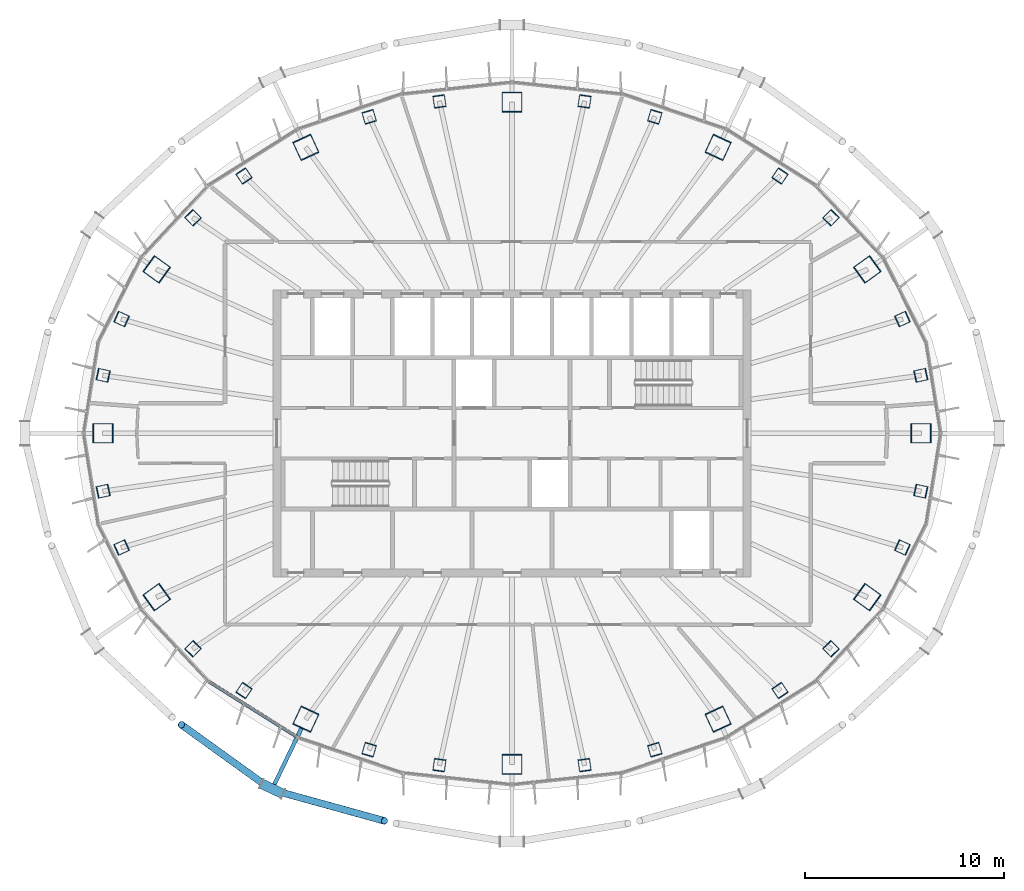
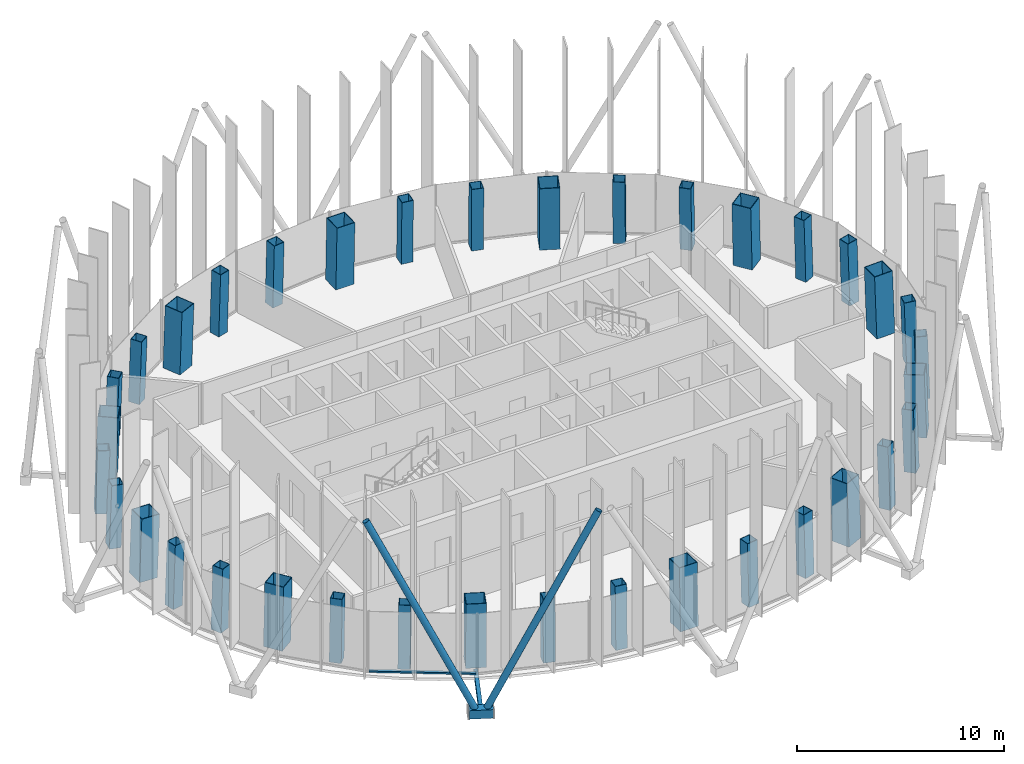
# One storey, part 1 of 20: 36 columns, 5 members, 1 element without a shape of its own.
"""IFC4 building model written with IfcOpenShell, lengths in metres."""

from ifc_helpers import new_model, si_unit, direction, frame, origin, origin_2d, place, context, subcontext, project, spatial, rectangle, hollow_rectangle, hollow_circle, extrude, material, layer, layer_set, material_profile, profile_set, type_object, element, aggregate, save


model = new_model("IFC4")

# Units and contexts
model_context = context("Model", 3, precision=1e-05, world=origin(), true_north=direction((0.0, 1.0)))
body_context = subcontext(model_context, "Body", "Model", "MODEL_VIEW")
ifc_project = project(units=[si_unit("LENGTHUNIT", "METRE"), si_unit("AREAUNIT", "SQUARE_METRE"), si_unit("VOLUMEUNIT", "CUBIC_METRE"), si_unit("PLANEANGLEUNIT", "RADIAN"), si_unit("MASSUNIT", "GRAM", prefix="KILO")], contexts=[model_context])

# Site, building, storey
site_placement = place(None, origin())
site = spatial("IfcSite", under=ifc_project, at=site_placement, CompositionType="ELEMENT")
building_placement = place(site_placement, origin())
building = spatial("IfcBuilding", under=site, at=building_placement, Name="Siaravel Broadcast Tower", CompositionType="ELEMENT")
storey_placement = place(building_placement, frame((0.0, 0.0, 228.199951171875)))
storey = spatial("IfcBuildingStorey", under=building, at=storey_placement, Name="L55", CompositionType="ELEMENT", Elevation=228.199951171875)

# Columns
ifc_material_1 = material(Name="Concrete C70/85", Category="concrete")
ifc_material_profile_1 = material_profile(ifc_material_1, hollow_rectangle(XDim=1.0, YDim=1.0, WallThickness=0.031982421875, at=origin_2d()))
ifc_profile_set_1 = profile_set([ifc_material_profile_1], Name="Concrete C70/85")
column_type_1 = type_object("IfcColumnType", Name="COL-CFT BOX 1000x1000x32", PredefinedType="COLUMN", material=ifc_profile_set_1)
column_1_placement = place(storey_placement, frame((20.544189453125, 0.0, 0.0), z_axis=(-0.034621265, 0.0, 0.999400504), x_axis=(0.0, -1.0, 0.0)))
element("IfcColumn", 1, at=column_1_placement, inside=storey, type_object=column_type_1, Name="Megacolumn MC01", PredefinedType="COLUMN", context=body_context, shape_type="SweptSolid", body=[
    extrude(hollow_rectangle(XDim=1.0, YDim=1.0, WallThickness=0.031982421875, at=origin_2d()), origin(), (0.0, 0.0, 1.0), 3.7021484375),
])
column_2_placement = place(storey_placement, frame((17.84521484375, 8.230712890625, 0.0), z_axis=(-0.029940667, -0.01417895, 0.999451106), x_axis=(0.584283905, -0.811527222, 0.005990534)))
element("IfcColumn", 2, at=column_2_placement, inside=storey, type_object=column_type_1, Name="Megacolumn MC02", PredefinedType="COLUMN", context=body_context, shape_type="SweptSolid", body=[
    extrude(hollow_rectangle(XDim=1.0, YDim=1.0, WallThickness=0.031982421875, at=origin_2d()), origin(), (0.0, 0.0, 1.0), 3.701904296875),
])
column_3_placement = place(storey_placement, frame((10.351806640625, 14.359375, 0.0), z_axis=(-0.017346173, -0.024535271, 0.999548463), x_axis=(0.907862536, -0.419232341, 0.005464429)))
element("IfcColumn", 3, at=column_3_placement, inside=storey, type_object=column_type_1, Name="Megacolumn MC03", PredefinedType="COLUMN", context=body_context, shape_type="SweptSolid", body=[
    extrude(hollow_rectangle(XDim=1.0, YDim=1.0, WallThickness=0.031982421875, at=origin_2d()), origin(), (0.0, 0.0, 1.0), 3.70166015625),
])
column_4_placement = place(storey_placement, frame((0.0, 16.62890625, 0.0), z_axis=(0.0, -0.028296154, 0.999599584), x_axis=(1.0, 0.0, 0.0)))
element("IfcColumn", 4, at=column_4_placement, inside=storey, type_object=column_type_1, Name="Megacolumn MC04", PredefinedType="COLUMN", context=body_context, shape_type="SweptSolid", body=[
    extrude(hollow_rectangle(XDim=1.0, YDim=1.0, WallThickness=0.031982421875, at=origin_2d()), origin(), (0.0, 0.0, 1.0), 3.701416015625),
])
column_5_placement = place(storey_placement, frame((-10.351806640625, 14.359375, 0.0), z_axis=(0.017346173, -0.024535271, 0.999548463), x_axis=(0.907862536, 0.419232341, -0.005464429)))
element("IfcColumn", 5, at=column_5_placement, inside=storey, type_object=column_type_1, Name="Megacolumn MC05", PredefinedType="COLUMN", context=body_context, shape_type="SweptSolid", body=[
    extrude(hollow_rectangle(XDim=1.0, YDim=1.0, WallThickness=0.031982421875, at=origin_2d()), origin(), (0.0, 0.0, 1.0), 3.70166015625),
])
column_6_placement = place(storey_placement, frame((-17.84521484375, 8.230712890625, 0.0), z_axis=(0.029940667, -0.01417895, 0.999451106), x_axis=(0.584283905, 0.811527222, -0.005990534)))
element("IfcColumn", 6, at=column_6_placement, inside=storey, type_object=column_type_1, Name="Megacolumn MC06", PredefinedType="COLUMN", context=body_context, shape_type="SweptSolid", body=[
    extrude(hollow_rectangle(XDim=1.0, YDim=1.0, WallThickness=0.031982421875, at=origin_2d()), origin(), (0.0, 0.0, 1.0), 3.701904296875),
])
column_7_placement = place(storey_placement, frame((-20.544189453125, 0.0, 0.0), z_axis=(0.034621265, 0.0, 0.999400504), x_axis=(0.0, 1.0, 0.0)))
element("IfcColumn", 7, at=column_7_placement, inside=storey, type_object=column_type_1, Name="Megacolumn MC07", PredefinedType="COLUMN", context=body_context, shape_type="SweptSolid", body=[
    extrude(hollow_rectangle(XDim=1.0, YDim=1.0, WallThickness=0.031982421875, at=origin_2d()), origin(), (0.0, 0.0, 1.0), 3.7021484375),
])
column_8_placement = place(storey_placement, frame((-17.84521484375, -8.230712890625, 0.0), z_axis=(0.029940667, 0.01417895, 0.999451106), x_axis=(-0.584283905, 0.811527222, 0.005990534)))
element("IfcColumn", 8, at=column_8_placement, inside=storey, type_object=column_type_1, Name="Megacolumn MC08", PredefinedType="COLUMN", context=body_context, shape_type="SweptSolid", body=[
    extrude(hollow_rectangle(XDim=1.0, YDim=1.0, WallThickness=0.031982421875, at=origin_2d()), origin(), (0.0, 0.0, 1.0), 3.701904296875),
])
column_9_placement = place(storey_placement, frame((-10.351806640625, -14.359375, 0.0), z_axis=(0.017346173, 0.024535271, 0.999548463), x_axis=(-0.907862536, 0.419232341, 0.005464429)))
element("IfcColumn", 9, at=column_9_placement, inside=storey, type_object=column_type_1, Name="Megacolumn MC09", PredefinedType="COLUMN", context=body_context, shape_type="SweptSolid", body=[
    extrude(hollow_rectangle(XDim=1.0, YDim=1.0, WallThickness=0.031982421875, at=origin_2d()), origin(), (0.0, 0.0, 1.0), 3.70166015625),
])
column_10_placement = place(storey_placement, frame((0.0, -16.62890625, 0.0), z_axis=(0.0, 0.028296154, 0.999599584), x_axis=(-1.0, 0.0, 0.0)))
element("IfcColumn", 10, at=column_10_placement, inside=storey, type_object=column_type_1, Name="Megacolumn MC10", PredefinedType="COLUMN", context=body_context, shape_type="SweptSolid", body=[
    extrude(hollow_rectangle(XDim=1.0, YDim=1.0, WallThickness=0.031982421875, at=origin_2d()), origin(), (0.0, 0.0, 1.0), 3.701416015625),
])
column_11_placement = place(storey_placement, frame((10.351806640625, -14.359375, 0.0), z_axis=(-0.017346173, 0.024535271, 0.999548463), x_axis=(-0.907862536, -0.419232341, -0.005464429)))
element("IfcColumn", 11, at=column_11_placement, inside=storey, type_object=column_type_1, Name="Megacolumn MC11", PredefinedType="COLUMN", context=body_context, shape_type="SweptSolid", body=[
    extrude(hollow_rectangle(XDim=1.0, YDim=1.0, WallThickness=0.031982421875, at=origin_2d()), origin(), (0.0, 0.0, 1.0), 3.70166015625),
])
column_12_placement = place(storey_placement, frame((17.84521484375, -8.230712890625, 0.0), z_axis=(-0.029940667, 0.01417895, 0.999451106), x_axis=(-0.584283905, -0.811527222, -0.005990534)))
element("IfcColumn", 12, at=column_12_placement, inside=storey, type_object=column_type_1, Name="Megacolumn MC12", PredefinedType="COLUMN", context=body_context, shape_type="SweptSolid", body=[
    extrude(hollow_rectangle(XDim=1.0, YDim=1.0, WallThickness=0.031982421875, at=origin_2d()), origin(), (0.0, 0.0, 1.0), 3.701904296875),
])
ifc_material_2 = material(Name="Concrete C50/60", Category="concrete")
ifc_material_profile_2 = material_profile(ifc_material_2, hollow_rectangle(XDim=0.60009765625, YDim=0.60009765625, WallThickness=0.02490234375, at=origin_2d()))
ifc_profile_set_2 = profile_set([ifc_material_profile_2], Name="Concrete C50/60")
column_type_2 = type_object("IfcColumnType", Name="COL-CFT BOX 600x600x25", PredefinedType="COLUMN", material=ifc_profile_set_2)
for number, where, z_axis, x_axis, name in (
    (13, (20.533203125, 2.91015625, 0.0), (-0.034093914, -0.00487998, 0.999406719), (0.211754089, -0.977319904, 0.002451679), "Perimeter column C01"),
    (14, (19.607666015625, 5.73876953125, 0.0), (-0.032511791, -0.009694185, 0.999424337), (0.410601483, -0.911803738, 0.004512793), "Perimeter column C02"),
):
    element("IfcColumn", number, at=place(storey_placement, frame(where, z_axis=z_axis, x_axis=x_axis)), inside=storey, type_object=column_type_2, Name=name, PredefinedType="COLUMN", context=body_context, shape_type="SweptSolid", body=[
        extrude(hollow_rectangle(XDim=0.60009765625, YDim=0.60009765625, WallThickness=0.02490234375, at=origin_2d()), origin(), (0.0, 0.0, 1.0), 3.7021484375),
    ])
column_13_placement = place(storey_placement, frame((16.021484375, 10.823486328125, 0.0), z_axis=(-0.026512179, -0.018202391, 0.999482755), x_axis=(0.720721695, -0.693194109, 0.006493471)))
element("IfcColumn", 15, at=column_13_placement, inside=storey, type_object=column_type_2, Name="Perimeter column C03", PredefinedType="COLUMN", context=body_context, shape_type="SweptSolid", body=[
    extrude(hollow_rectangle(XDim=0.60009765625, YDim=0.60009765625, WallThickness=0.02490234375, at=origin_2d()), origin(), (0.0, 0.0, 1.0), 3.701904296875),
])
column_14_placement = place(storey_placement, frame((13.45947265625, 12.921875, 0.0), z_axis=(-0.022226156, -0.021698532, 0.999517469), x_axis=(0.828750983, -0.559582307, 0.006280865)))
element("IfcColumn", 16, at=column_14_placement, inside=storey, type_object=column_type_2, Name="Perimeter column C04", PredefinedType="COLUMN", context=body_context, shape_type="SweptSolid", body=[
    extrude(hollow_rectangle(XDim=0.60009765625, YDim=0.60009765625, WallThickness=0.02490234375, at=origin_2d()), origin(), (0.0, 0.0, 1.0), 3.70166015625),
])
for number, where, z_axis, x_axis, name in (
    (17, (7.17431640625, 15.89306640625, 0.0), (-0.011872213, -0.026646524, 0.999574416), (0.959678668, -0.281072234, 0.003905574), "Perimeter column C05"),
    (18, (3.64404296875, 16.667724609375, 0.0), (-0.006002173, -0.027900212, 0.999592693), (0.990196228, -0.139668316, 0.002047388), "Perimeter column C06"),
    (19, (-3.64404296875, 16.667724609375, 0.0), (0.006002173, -0.027900212, 0.999592693), (0.990196228, 0.139668316, -0.002047388), "Perimeter column C07"),
    (20, (-7.17431640625, 15.89306640625, 0.0), (0.011872213, -0.026646524, 0.999574416), (0.959678668, 0.281072234, -0.003905574), "Perimeter column C08"),
):
    element("IfcColumn", number, at=place(storey_placement, frame(where, z_axis=z_axis, x_axis=x_axis)), inside=storey, type_object=column_type_2, Name=name, PredefinedType="COLUMN", context=body_context, shape_type="SweptSolid", body=[
        extrude(hollow_rectangle(XDim=0.60009765625, YDim=0.60009765625, WallThickness=0.02490234375, at=origin_2d()), origin(), (0.0, 0.0, 1.0), 3.701416015625),
    ])
column_15_placement = place(storey_placement, frame((-13.45947265625, 12.921875, 0.0), z_axis=(0.022226156, -0.021698532, 0.999517469), x_axis=(0.828750983, 0.559582307, -0.006280865)))
element("IfcColumn", 21, at=column_15_placement, inside=storey, type_object=column_type_2, Name="Perimeter column C09", PredefinedType="COLUMN", context=body_context, shape_type="SweptSolid", body=[
    extrude(hollow_rectangle(XDim=0.60009765625, YDim=0.60009765625, WallThickness=0.02490234375, at=origin_2d()), origin(), (0.0, 0.0, 1.0), 3.70166015625),
])
column_16_placement = place(storey_placement, frame((-16.021484375, 10.823486328125, 0.0), z_axis=(0.026512179, -0.018202391, 0.999482755), x_axis=(0.720721695, 0.693194109, -0.006493471)))
element("IfcColumn", 22, at=column_16_placement, inside=storey, type_object=column_type_2, Name="Perimeter column C10", PredefinedType="COLUMN", context=body_context, shape_type="SweptSolid", body=[
    extrude(hollow_rectangle(XDim=0.60009765625, YDim=0.60009765625, WallThickness=0.02490234375, at=origin_2d()), origin(), (0.0, 0.0, 1.0), 3.701904296875),
])
for number, where, z_axis, x_axis, name in (
    (23, (-19.607666015625, 5.73876953125, 0.0), (0.032511791, -0.009694185, 0.999424337), (0.410601483, 0.911803738, -0.004512793), "Perimeter column C11"),
    (24, (-20.533203125, 2.91015625, 0.0), (0.034093914, -0.00487998, 0.999406719), (0.211754089, 0.977319904, -0.002451679), "Perimeter column C12"),
    (25, (-20.533203125, -2.91015625, 0.0), (0.034093914, 0.00487998, 0.999406719), (-0.211754089, 0.977319904, 0.002451679), "Perimeter column C13"),
    (26, (-19.607666015625, -5.73876953125, 0.0), (0.032511791, 0.009694185, 0.999424337), (-0.410601483, 0.911803738, 0.004512793), "Perimeter column C14"),
):
    element("IfcColumn", number, at=place(storey_placement, frame(where, z_axis=z_axis, x_axis=x_axis)), inside=storey, type_object=column_type_2, Name=name, PredefinedType="COLUMN", context=body_context, shape_type="SweptSolid", body=[
        extrude(hollow_rectangle(XDim=0.60009765625, YDim=0.60009765625, WallThickness=0.02490234375, at=origin_2d()), origin(), (0.0, 0.0, 1.0), 3.7021484375),
    ])
column_17_placement = place(storey_placement, frame((-16.021484375, -10.823486328125, 0.0), z_axis=(0.026512179, 0.018202391, 0.999482755), x_axis=(-0.720721695, 0.693194109, 0.006493471)))
element("IfcColumn", 27, at=column_17_placement, inside=storey, type_object=column_type_2, Name="Perimeter column C15", PredefinedType="COLUMN", context=body_context, shape_type="SweptSolid", body=[
    extrude(hollow_rectangle(XDim=0.60009765625, YDim=0.60009765625, WallThickness=0.02490234375, at=origin_2d()), origin(), (0.0, 0.0, 1.0), 3.701904296875),
])
column_18_placement = place(storey_placement, frame((-13.45947265625, -12.921875, 0.0), z_axis=(0.022226156, 0.021698532, 0.999517469), x_axis=(-0.828750983, 0.559582307, 0.006280865)))
element("IfcColumn", 28, at=column_18_placement, inside=storey, type_object=column_type_2, Name="Perimeter column C16", PredefinedType="COLUMN", context=body_context, shape_type="SweptSolid", body=[
    extrude(hollow_rectangle(XDim=0.60009765625, YDim=0.60009765625, WallThickness=0.02490234375, at=origin_2d()), origin(), (0.0, 0.0, 1.0), 3.70166015625),
])
for number, where, z_axis, x_axis, name in (
    (29, (-7.17431640625, -15.89306640625, 0.0), (0.011872213, 0.026646524, 0.999574416), (-0.959678668, 0.281072234, 0.003905574), "Perimeter column C17"),
    (30, (-3.64404296875, -16.667724609375, 0.0), (0.006002173, 0.027900212, 0.999592693), (-0.990196228, 0.139668316, 0.002047388), "Perimeter column C18"),
    (31, (3.64404296875, -16.667724609375, 0.0), (-0.006002173, 0.027900212, 0.999592693), (-0.990196228, -0.139668316, -0.002047388), "Perimeter column C19"),
    (32, (7.17431640625, -15.89306640625, 0.0), (-0.011872213, 0.026646524, 0.999574416), (-0.959678668, -0.281072234, -0.003905574), "Perimeter column C20"),
):
    element("IfcColumn", number, at=place(storey_placement, frame(where, z_axis=z_axis, x_axis=x_axis)), inside=storey, type_object=column_type_2, Name=name, PredefinedType="COLUMN", context=body_context, shape_type="SweptSolid", body=[
        extrude(hollow_rectangle(XDim=0.60009765625, YDim=0.60009765625, WallThickness=0.02490234375, at=origin_2d()), origin(), (0.0, 0.0, 1.0), 3.701416015625),
    ])
column_19_placement = place(storey_placement, frame((13.45947265625, -12.921875, 0.0), z_axis=(-0.022226156, 0.021698532, 0.999517469), x_axis=(-0.828750983, -0.559582307, -0.006280865)))
element("IfcColumn", 33, at=column_19_placement, inside=storey, type_object=column_type_2, Name="Perimeter column C21", PredefinedType="COLUMN", context=body_context, shape_type="SweptSolid", body=[
    extrude(hollow_rectangle(XDim=0.60009765625, YDim=0.60009765625, WallThickness=0.02490234375, at=origin_2d()), origin(), (0.0, 0.0, 1.0), 3.70166015625),
])
column_20_placement = place(storey_placement, frame((16.021484375, -10.823486328125, 0.0), z_axis=(-0.026512179, 0.018202391, 0.999482755), x_axis=(-0.720721695, -0.693194109, -0.006493471)))
element("IfcColumn", 34, at=column_20_placement, inside=storey, type_object=column_type_2, Name="Perimeter column C22", PredefinedType="COLUMN", context=body_context, shape_type="SweptSolid", body=[
    extrude(hollow_rectangle(XDim=0.60009765625, YDim=0.60009765625, WallThickness=0.02490234375, at=origin_2d()), origin(), (0.0, 0.0, 1.0), 3.701904296875),
])
for number, where, z_axis, x_axis, name in (
    (35, (19.607666015625, -5.73876953125, 0.0), (-0.032511791, 0.009694185, 0.999424337), (-0.410601483, -0.911803738, -0.004512793), "Perimeter column C23"),
    (36, (20.533203125, -2.91015625, 0.0), (-0.034093914, 0.00487998, 0.999406719), (-0.211754089, -0.977319904, -0.002451679), "Perimeter column C24"),
):
    element("IfcColumn", number, at=place(storey_placement, frame(where, z_axis=z_axis, x_axis=x_axis)), inside=storey, type_object=column_type_2, Name=name, PredefinedType="COLUMN", context=body_context, shape_type="SweptSolid", body=[
        extrude(hollow_rectangle(XDim=0.60009765625, YDim=0.60009765625, WallThickness=0.02490234375, at=origin_2d()), origin(), (0.0, 0.0, 1.0), 3.7021484375),
    ])

# Curtain wall, member
ifc_material_3 = material(Name="Aluminium 6063-T6", Category="aluminium")
ifc_layer = layer(ifc_material_3, 0.159912109375)
ifc_layer_set = layer_set([ifc_layer], Name="Aluminium 6063-T6")
curtain_wall_type = type_object("IfcCurtainWallType", Name="Unitised curtain wall, zone 4", PredefinedType="NOTDEFINED", material=ifc_layer_set)
curtain_wall_placement = place(storey_placement, origin())
curtain_wall = element("IfcCurtainWall", 37, at=curtain_wall_placement, inside=storey, type_object=curtain_wall_type, Name="L55 Unitised curtain wall, zone 4 08", PredefinedType="NOTDEFINED")
ifc_material_profile_3 = material_profile(ifc_material_3, rectangle(XDim=0.159912109375, YDim=0.090087890625, at=origin_2d()))
ifc_profile_set_3 = profile_set([ifc_material_profile_3], Name="Aluminium 6063-T6")
member_type_1 = type_object("IfcMemberType", Name="CW-Z4 transom", PredefinedType="USERDEFINED", material=ifc_profile_set_3)
member_1_placement = place(storey_placement, frame((-15.17724609375, -12.478271484375, 0.045166015625), z_axis=(0.846644441, -0.53215899, 0.0), x_axis=(0.53215899, 0.846644441, 0.0)))
member_1 = element("IfcMember", 38, at=member_1_placement, type_object=member_type_1, Name="CW-Z4 transom 2", ObjectType="TRANSOM", PredefinedType="USERDEFINED", context=body_context, shape_type="SweptSolid", body=[
    extrude(rectangle(XDim=0.159912109375, YDim=0.090087890625, at=origin_2d()), origin(), (0.0, 0.0, 1.0), 5.17724609375),
])
aggregate(curtain_wall, [member_1])

# Members
ifc_material_4 = material(Name="Steel S460", Category="steel")
ifc_material_profile_4 = material_profile(ifc_material_4, hollow_circle(Radius=0.177734375, WallThickness=0.012451171875, at=origin_2d()))
ifc_profile_set_4 = profile_set([ifc_material_profile_4], Name="Steel S460")
member_type_2 = type_object("IfcMemberType", Name="Diagrid diagonal CHS 355.6x12.5", PredefinedType="BRACE", material=ifc_profile_set_4)
member_2_placement = place(storey_placement, frame((-12.296875, -17.714111328125, 0.02001953125), z_axis=(-0.360588642, 0.259705891, 0.895839652), x_axis=(-0.584426349, -0.811446759, 0.0)))
element("IfcMember", 39, at=member_2_placement, inside=storey, type_object=member_type_2, Name="Diagrid diagonal R23 station 48C", PredefinedType="BRACE", context=body_context, shape_type="SweptSolid", body=[
    extrude(hollow_circle(Radius=0.177734375, WallThickness=0.012451171875, at=origin_2d()), origin(), (0.0, 0.0, 1.0), 11.8994140625),
])
member_3_placement = place(storey_placement, frame((-11.762451171875, -17.966796875, 0.02001953125), z_axis=(0.446084084, -0.123255802, 0.886463196), x_axis=(0.266326799, 0.963882792, 0.0)))
element("IfcMember", 40, at=member_3_placement, inside=storey, type_object=member_type_2, Name="Diagrid diagonal R23 station 48A", PredefinedType="BRACE", context=body_context, shape_type="SweptSolid", body=[
    extrude(hollow_circle(Radius=0.177734375, WallThickness=0.012451171875, at=origin_2d()), origin(), (0.0, 0.0, 1.0), 12.025146484375),
])
ifc_material_profile_5 = material_profile(ifc_material_4, hollow_rectangle(XDim=0.5, YDim=0.5, WallThickness=0.031982421875, at=origin_2d()))
ifc_profile_set_5 = profile_set([ifc_material_profile_5], Name="Steel S460")
member_type_3 = type_object("IfcMemberType", Name="Diagrid node BOX 500x500x32", PredefinedType="USERDEFINED", material=ifc_profile_set_5)
member_4_placement = place(storey_placement, frame((-12.56591796875, -17.586669921875, -0.199951171875), z_axis=(0.904005771, -0.427520253, 0.0), x_axis=(0.427520253, 0.904005771, 0.0)))
element("IfcMember", 41, at=member_4_placement, inside=storey, type_object=member_type_3, Name="Diagrid node R23 station 48", ObjectType="DIAGRID NODE", PredefinedType="USERDEFINED", context=body_context, shape_type="SweptSolid", body=[
    extrude(hollow_rectangle(XDim=0.5, YDim=0.5, WallThickness=0.031982421875, at=origin_2d()), origin(), (0.0, 0.0, 1.0), 1.186767578125),
])
ifc_material_profile_6 = material_profile(ifc_material_4, hollow_rectangle(XDim=0.199951171875, YDim=0.300048828125, WallThickness=0.012451171875, at=origin_2d()))
ifc_profile_set_6 = profile_set([ifc_material_profile_6], Name="Steel S460")
member_type_4 = type_object("IfcMemberType", Name="Diagrid node arm RHS 300x200x12.5", PredefinedType="STRUT", material=ifc_profile_set_6)
member_5_placement = place(storey_placement, frame((-10.555908203125, -14.78271484375, -0.199951171875), z_axis=(-0.434183283, -0.900824554, 0.0), x_axis=(0.900824554, -0.434183283, 0.0)))
element("IfcMember", 42, at=member_5_placement, inside=storey, type_object=member_type_4, Name="Node arm R23 station 48", PredefinedType="STRUT", context=body_context, shape_type="SweptSolid", body=[
    extrude(hollow_rectangle(XDim=0.199951171875, YDim=0.300048828125, WallThickness=0.012451171875, at=origin_2d()), origin(), (0.0, 0.0, 1.0), 3.174072265625),
])

save(model, "model.ifc")
